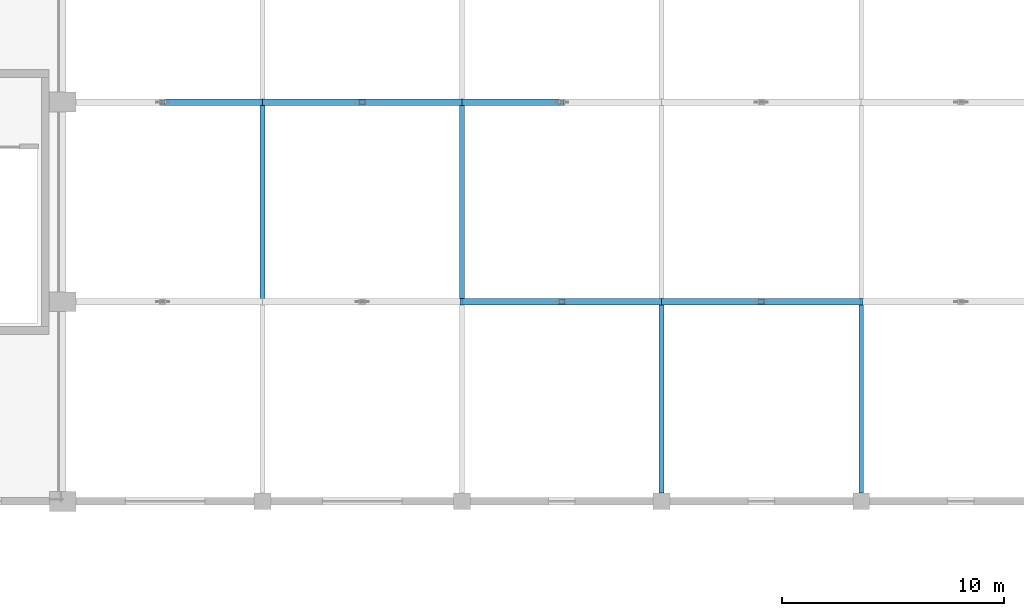
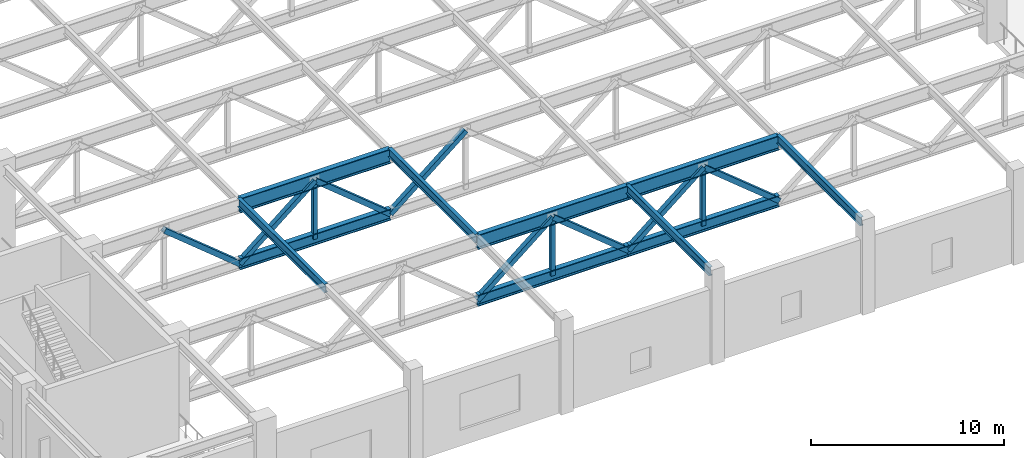
# One storey, part 5 of 223: 11 members, 10 beams.
"""IFC4 building model written with IfcOpenShell, lengths in metres."""

from ifc_helpers import new_model, si_unit, direction, frame, origin, origin_2d, place, context, subcontext, project, spatial, hollow_rectangle, i_section, extrude, material, material_profile, profile_set, type_object, element, save


model = new_model("IFC4")

# Units and contexts
model_context = context("Model", 3, precision=1e-05, world=origin(), true_north=direction((0.0, 1.0)))
body_context = subcontext(model_context, "Body", "Model", "MODEL_VIEW")
ifc_project = project(units=[si_unit("LENGTHUNIT", "METRE"), si_unit("AREAUNIT", "SQUARE_METRE"), si_unit("VOLUMEUNIT", "CUBIC_METRE"), si_unit("PLANEANGLEUNIT", "RADIAN"), si_unit("MASSUNIT", "GRAM", prefix="KILO")], contexts=[model_context])

# Site, building, storey
site_placement = place(None, origin())
site = spatial("IfcSite", under=ifc_project, at=site_placement, CompositionType="ELEMENT")
building_placement = place(site_placement, origin())
building = spatial("IfcBuilding", under=site, at=building_placement, Name="Dornveld Trade and Exhibition Forum", CompositionType="ELEMENT")
storey_placement = place(building_placement, frame((0.0, 0.0, 6.0)))
storey = spatial("IfcBuildingStorey", under=building, at=storey_placement, Name="L01", CompositionType="ELEMENT", Elevation=6.0)

# Beams
ifc_material_1 = material(Name="Steel S355J2", Category="steel")
ifc_material_profile_1 = material_profile(ifc_material_1, i_section(OverallWidth=0.2099609375, OverallDepth=0.550048828125, WebThickness=0.010986328125, FlangeThickness=0.01708984375, FilletRadius=0.02392578125, at=origin_2d()), Name="IPE 550")
ifc_profile_set_1 = profile_set([ifc_material_profile_1], Name="Steel S355J2")
beam_type_1 = type_object("IfcBeamType", Name="BM-SEC-550", PredefinedType="BEAM", material=ifc_profile_set_1)
for number, where, z_axis, x_axis, name in (
    (1, (36.0, 45.0, 5.364990234375), (0.0, 1.0, 0.0), (-1.0, 0.0, 0.0), "Hall 3 secondary deck beam 1375"),
    (2, (45.0, 45.0, 5.364990234375), (0.0, 1.0, 0.0), (-1.0, 0.0, 0.0), "Hall 3 secondary deck beam 1386"),
):
    element("IfcBeam", number, at=place(storey_placement, frame(where, z_axis=z_axis, x_axis=x_axis)), inside=storey, type_object=beam_type_1, Name=name, PredefinedType="BEAM", context=body_context, shape_type="SweptSolid", body=[
        extrude(i_section(OverallWidth=0.2099609375, OverallDepth=0.550048828125, WebThickness=0.010986328125, FlangeThickness=0.01708984375, FilletRadius=0.02392578125, at=origin_2d()), origin(), (0.0, 0.0, 1.0), 9.0),
    ])
for number, where, z_axis, x_axis, name in (
    (3, (54.0, 36.37109375, 5.364990234375), (0.0, 1.0, 0.0), (-1.0, 0.0, 0.0), "Hall 3 secondary deck beam 1396"),
    (4, (63.0, 36.37109375, 5.364990234375), (0.0, 1.0, 0.0), (-1.0, 0.0, 0.0), "Hall 3 secondary deck beam 1407"),
):
    element("IfcBeam", number, at=place(storey_placement, frame(where, z_axis=z_axis, x_axis=x_axis)), inside=storey, type_object=beam_type_1, Name=name, PredefinedType="BEAM", context=body_context, shape_type="SweptSolid", body=[
        extrude(i_section(OverallWidth=0.2099609375, OverallDepth=0.550048828125, WebThickness=0.010986328125, FlangeThickness=0.01708984375, FilletRadius=0.02392578125, at=origin_2d()), origin(), (0.0, 0.0, 1.0), 8.62890625),
    ])
ifc_material_2 = material(Name="Steel S355J2", Category="steel")
ifc_material_profile_2 = material_profile(ifc_material_2, i_section(OverallWidth=0.303955078125, OverallDepth=0.716064453125, WebThickness=0.02099609375, FlangeThickness=0.0400390625, FilletRadius=0.027099609375, at=origin_2d()), Name="HEM 700")
ifc_profile_set_2 = profile_set([ifc_material_profile_2], Name="Steel S355J2")
beam_type_2 = type_object("IfcBeamType", Name="BM-TG-BOT700", PredefinedType="USERDEFINED", material=ifc_profile_set_2)
for number, where, z_axis, x_axis, name in (
    (5, (45.0, 45.0, 1.5), (1.0, 0.0, 0.0), (0.0, 1.0, 0.0), "Hall 3 transfer truss 1 bottom chord 3"),
    (6, (54.0, 45.0, 1.5), (1.0, 0.0, 0.0), (0.0, 1.0, 0.0), "Hall 3 transfer truss 1 bottom chord 4"),
    (7, (36.0, 54.0, 1.5), (1.0, 0.0, 0.0), (0.0, 1.0, 0.0), "Hall 3 transfer truss 2 bottom chord 2"),
):
    element("IfcBeam", number, at=place(storey_placement, frame(where, z_axis=z_axis, x_axis=x_axis)), inside=storey, type_object=beam_type_2, Name=name, ObjectType="GIRDER", PredefinedType="USERDEFINED", context=body_context, shape_type="SweptSolid", body=[
        extrude(i_section(OverallWidth=0.303955078125, OverallDepth=0.716064453125, WebThickness=0.02099609375, FlangeThickness=0.0400390625, FilletRadius=0.027099609375, at=origin_2d()), origin(), (0.0, 0.0, 1.0), 9.0),
    ])
ifc_material_3 = material(Name="Steel S355J2", Category="steel")
ifc_material_profile_3 = material_profile(ifc_material_3, i_section(OverallWidth=0.302001953125, OverallDepth=0.909912109375, WebThickness=0.02099609375, FlangeThickness=0.0400390625, FilletRadius=0.030029296875, at=origin_2d()), Name="HEM 900")
ifc_profile_set_3 = profile_set([ifc_material_profile_3], Name="Steel S355J2")
beam_type_3 = type_object("IfcBeamType", Name="BM-TG-TOP900", PredefinedType="USERDEFINED", material=ifc_profile_set_3)
for number, where, z_axis, x_axis, name in (
    (8, (45.0, 45.0, 5.18505859375), (1.0, 0.0, 0.0), (0.0, 1.0, 0.0), "Hall 3 transfer truss 1 top chord 3"),
    (9, (54.0, 45.0, 5.18505859375), (1.0, 0.0, 0.0), (0.0, 1.0, 0.0), "Hall 3 transfer truss 1 top chord 4"),
    (10, (36.0, 54.0, 5.18505859375), (1.0, 0.0, 0.0), (0.0, 1.0, 0.0), "Hall 3 transfer truss 2 top chord 2"),
):
    element("IfcBeam", number, at=place(storey_placement, frame(where, z_axis=z_axis, x_axis=x_axis)), inside=storey, type_object=beam_type_3, Name=name, ObjectType="GIRDER", PredefinedType="USERDEFINED", context=body_context, shape_type="SweptSolid", body=[
        extrude(i_section(OverallWidth=0.302001953125, OverallDepth=0.909912109375, WebThickness=0.02099609375, FlangeThickness=0.0400390625, FilletRadius=0.030029296875, at=origin_2d()), origin(), (0.0, 0.0, 1.0), 9.0),
    ])

# Members
ifc_material_4 = material(Name="Steel S355J2", Category="steel")
ifc_material_profile_4 = material_profile(ifc_material_4, hollow_rectangle(XDim=0.25, YDim=0.25, WallThickness=0.012451171875, at=origin_2d()), Name="SHS 250x250x12.5")
ifc_profile_set_4 = profile_set([ifc_material_profile_4], Name="Steel S355J2")
member_type_1 = type_object("IfcMemberType", Name="MEM-XFER-STR", PredefinedType="STRUT", material=ifc_profile_set_4)
for number, where, z_axis, x_axis, name in (
    (11, (49.5, 45.0, 1.5), (0.0, 0.0, 1.0), (1.0, 0.0, 0.0), "Transfer truss 1 strut 9"),
    (12, (58.5, 45.0, 1.5), (0.0, 0.0, 1.0), (1.0, 0.0, 0.0), "Transfer truss 1 strut 12"),
    (13, (40.5, 54.0, 1.5), (0.0, 0.0, 1.0), (1.0, 0.0, 0.0), "Transfer truss 2 strut 24"),
):
    element("IfcMember", number, at=place(storey_placement, frame(where, z_axis=z_axis, x_axis=x_axis)), inside=storey, type_object=member_type_1, Name=name, PredefinedType="STRUT", context=body_context, shape_type="SweptSolid", body=[
        extrude(hollow_rectangle(XDim=0.25, YDim=0.25, WallThickness=0.012451171875, at=origin_2d()), origin(), (0.0, 0.0, 1.0), 3.68505859375),
    ])
ifc_material_5 = material(Name="Steel S355J2", Category="steel")
ifc_material_profile_5 = material_profile(ifc_material_5, hollow_rectangle(XDim=0.300048828125, YDim=0.300048828125, WallThickness=0.01611328125, at=origin_2d()), Name="SHS 300x300x16")
ifc_profile_set_5 = profile_set([ifc_material_profile_5], Name="Steel S355J2")
member_type_2 = type_object("IfcMemberType", Name="MEM-XFER-WEB", PredefinedType="BRACE", material=ifc_profile_set_5)
for number, where, z_axis, x_axis, name in (
    (14, (45.0, 45.0, 1.5), (0.773684181611, 0.0, 0.633571453843), (0.0, 1.0, 0.0), "Transfer truss 1 web 7"),
    (15, (54.0, 45.0, 1.5), (-0.773684181611, 0.0, 0.633571453843), (0.0, -1.0, 0.0), "Transfer truss 1 web 8"),
    (16, (54.0, 45.0, 1.5), (0.773684181611, 0.0, 0.633571453843), (0.0, 1.0, 0.0), "Transfer truss 1 web 10"),
    (17, (63.0, 45.0, 1.5), (-0.773684181611, 0.0, 0.633571453843), (0.0, -1.0, 0.0), "Transfer truss 1 web 11"),
    (18, (36.0, 54.0, 1.5), (-0.773684181611, 0.0, 0.633571453843), (0.0, -1.0, 0.0), "Transfer truss 2 web 20"),
    (19, (36.0, 54.0, 1.5), (0.773684181611, 0.0, 0.633571453843), (0.0, 1.0, 0.0), "Transfer truss 2 web 22"),
    (20, (45.0, 54.0, 1.5), (-0.773684181611, 0.0, 0.633571453843), (0.0, -1.0, 0.0), "Transfer truss 2 web 23"),
    (21, (45.0, 54.0, 1.5), (0.773684181611, 0.0, 0.633571453843), (0.0, 1.0, 0.0), "Transfer truss 2 web 25"),
):
    element("IfcMember", number, at=place(storey_placement, frame(where, z_axis=z_axis, x_axis=x_axis)), inside=storey, type_object=member_type_2, Name=name, PredefinedType="BRACE", context=body_context, shape_type="SweptSolid", body=[
        extrude(hollow_rectangle(XDim=0.300048828125, YDim=0.300048828125, WallThickness=0.01611328125, at=origin_2d()), origin(), (0.0, 0.0, 1.0), 5.81640625),
    ])

save(model, "model.ifc")
